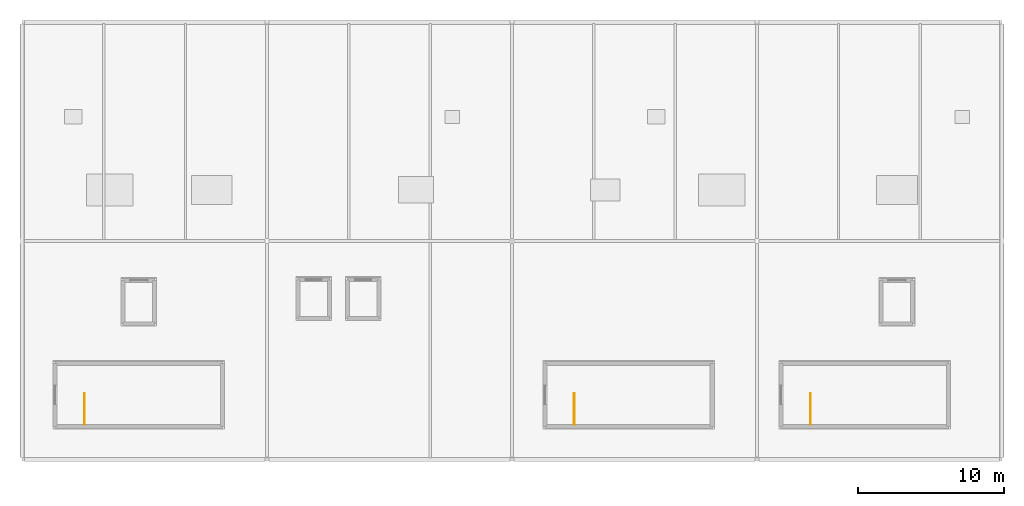
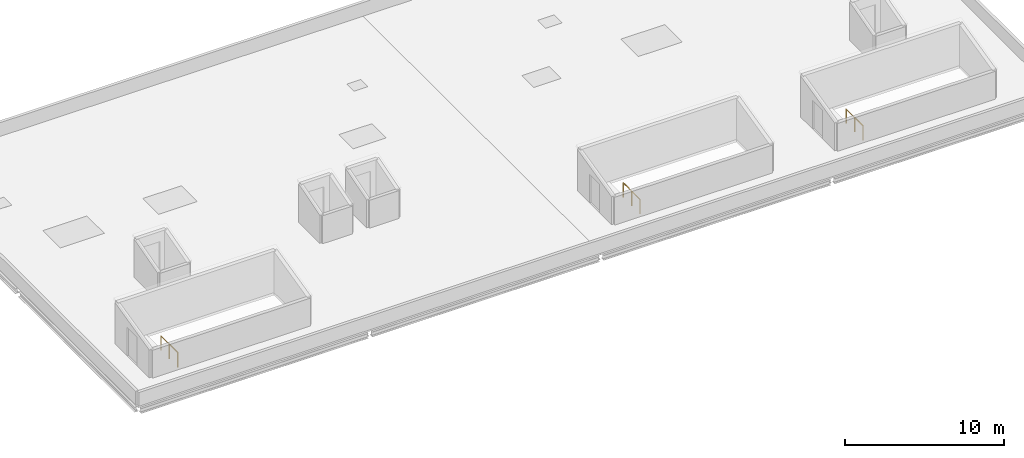
# One storey, part 3 of 3: 3 railings.
"""IFC4 building model written with IfcOpenShell, lengths in metres."""

import ifcopenshell
import ifcopenshell.guid

model = None  # the IFC model being written
_history = None  # IfcOwnerHistory: only IFC2X3 demands one
_inside = {}  # id of a spatial element -> (the spatial element, [elements in it])
_under = {}  # id of a project, library or spatial element -> (it, [spatial elements below it])
_declared = {}  # id of a project -> (the project, [libraries it declares])
_typed = {}  # id of a type object -> (the type object, [elements of that type])
_made_of = {}  # id of a material, layer set ... -> (it, [elements and type objects made of it])


def new_model(schema):
    """Start an empty IFC model of exactly this schema.

    Asked for "IFC4X3", IfcOpenShell would pick the latest addendum, in which some entities
    have other attributes; the version numbers below select the first issue.
    IFC2X3 requires an IfcOwnerHistory on every rooted entity: one is made here for all.
    """
    global model, _history
    if schema == "IFC4X3":
        model = ifcopenshell.file(schema_version=(4, 3, 0, 0))
    else:
        model = ifcopenshell.file(schema=schema)
    _inside.clear()
    _under.clear()
    _declared.clear()
    _typed.clear()
    _made_of.clear()
    _history = None
    if model.schema == "IFC2X3":
        org = make("IfcOrganization", Name="unknown")
        user = make(
            "IfcPersonAndOrganization",
            ThePerson=make("IfcPerson", FamilyName="unknown"),
            TheOrganization=org,
        )
        app = make(
            "IfcApplication",
            ApplicationDeveloper=org,
            Version="unknown",
            ApplicationFullName="unknown",
            ApplicationIdentifier="unknown",
        )
        _history = make(
            "IfcOwnerHistory",
            OwningUser=user,
            OwningApplication=app,
            ChangeAction="ADDED",
            CreationDate=0,
        )
    return model


def make(cls, **values):
    """One entity of the class cls with the attributes given. An attribute that is None is left unset."""
    return model.create_entity(
        cls, **{name: value for name, value in values.items() if value is not None}
    )


def rooted(cls, **values):
    """An entity with a GlobalId (a new one), such as an element, a storey or a relation."""
    return make(cls, GlobalId=ifcopenshell.guid.new(), OwnerHistory=_history, **values)


def si_unit(unit_type, name, prefix=None):
    """IfcSIUnit, for example si_unit("LENGTHUNIT", "METRE", prefix="MILLI")."""
    return make("IfcSIUnit", UnitType=unit_type, Prefix=prefix, Name=name)


def assignment(units):
    """IfcUnitAssignment: the units of a project."""
    return None if units is None else make("IfcUnitAssignment", Units=units)


def point(xyz):
    """IfcCartesianPoint."""
    return None if xyz is None else make("IfcCartesianPoint", Coordinates=xyz)


def direction(xyz):
    """IfcDirection."""
    return None if xyz is None else make("IfcDirection", DirectionRatios=xyz)


def frame(location, z_axis=None, x_axis=None):
    """IfcAxis2Placement3D, a coordinate frame: its origin and axes. An axis left out is left unset."""
    return make(
        "IfcAxis2Placement3D",
        Location=point(location),
        Axis=direction(z_axis),
        RefDirection=direction(x_axis),
    )


def frame_2d(location, x_axis=None):
    """IfcAxis2Placement2D, a coordinate frame in the plane: its origin and x axis."""
    return make(
        "IfcAxis2Placement2D", Location=point(location), RefDirection=direction(x_axis)
    )


def origin():
    """The frame at (0, 0, 0) with its axes left unset."""
    return frame((0.0, 0.0, 0.0))


def origin_2d():
    """The frame at (0, 0) in the plane with its x axis left unset."""
    return frame_2d((0.0, 0.0))


def place(relative_to, where):
    """IfcLocalPlacement: puts the frame where relative to a parent placement (None: the world)."""
    return make(
        "IfcLocalPlacement", PlacementRelTo=relative_to, RelativePlacement=where
    )


def context(
    kind, dimensions, precision=None, world=None, true_north=None, identifier=None
):
    """IfcGeometricRepresentationContext, for example the 3D "Model" context."""
    return make(
        "IfcGeometricRepresentationContext",
        ContextIdentifier=identifier,
        ContextType=kind,
        CoordinateSpaceDimension=dimensions,
        Precision=precision,
        WorldCoordinateSystem=world,
        TrueNorth=true_north,
    )


def subcontext(parent, identifier, kind, view, scale=None):
    """IfcGeometricRepresentationSubContext, for example "Body" below "Model"."""
    return make(
        "IfcGeometricRepresentationSubContext",
        ContextIdentifier=identifier,
        ContextType=kind,
        ParentContext=parent,
        TargetScale=scale,
        TargetView=view,
    )


def project(units=None, contexts=None):
    """IfcProject with its units and contexts."""
    return rooted(
        "IfcProject",
        Name="project",
        RepresentationContexts=contexts,
        UnitsInContext=assignment(units),
    )


def spatial(cls, under=None, at=None, **own):
    """A site, building, storey or space (cls), placed at a placement, below another one or the project."""
    s = rooted(cls, ObjectPlacement=at, **own)
    if under is not None:
        _under.setdefault(under.id(), (under, []))[1].append(s)
    return s


def profile(cls, at=None, kind="AREA", **sizes):
    """A parametric profile (cls). Its sizes go by their IFC names, for example OverallWidth=200.0."""
    return make(cls, ProfileType=kind, Position=at, **sizes)


def circle(**sizes):
    """IfcCircleProfileDef."""
    return profile("IfcCircleProfileDef", **sizes)


def extrude(swept, where, along, depth):
    """IfcExtrudedAreaSolid: the profile swept, set in the frame where, extruded along a direction by depth."""
    return make(
        "IfcExtrudedAreaSolid",
        SweptArea=swept,
        Position=where,
        ExtrudedDirection=direction(along),
        Depth=depth,
    )


def shape(context_of_items, identifier, shape_type, items):
    """IfcShapeRepresentation: the items that make up one representation, for example the "Body"."""
    return make(
        "IfcShapeRepresentation",
        ContextOfItems=context_of_items,
        RepresentationIdentifier=identifier,
        RepresentationType=shape_type,
        Items=items,
    )


def material(Name=None, Category=None):
    """IfcMaterial."""
    return make("IfcMaterial", Name=Name, Category=Category)


def made_of(thing, what):
    """Note that an element or type object is made of a material, layer set ...; save() writes the relation."""
    if what is not None:
        _made_of.setdefault(what.id(), (what, []))[1].append(thing)
    return thing


def type_object(cls, material=None, **own):
    """A type object (cls), such as IfcWallType, which elements share."""
    return made_of(rooted(cls, **own), material)


def element(
    cls,
    number,
    at=None,
    inside=None,
    cuts=None,
    type_object=None,
    material=None,
    context=None,
    identifier="Body",
    shape_type=None,
    held_by="IfcProductDefinitionShape",
    body=None,
    shapes=None,
    **own,
):
    """One element of the class cls, such as IfcWall. Its Tag is "e" and its number.

    at: its placement. inside: the storey or other place that contains it. cuts: it is an
    opening in that element (IfcRelVoidsElement). A single representation is given by context,
    identifier, shape_type and body (its items); several are given by shapes. held_by: the class
    of the entity that holds the representations. save() writes the other relations.
    """
    e = rooted(cls, Tag="e%d" % number, ObjectPlacement=at, **own)
    if body is not None:
        shapes = [shape(context, identifier, shape_type, body)]
    if shapes is not None:
        e.Representation = make(held_by, Representations=shapes)
    if inside is not None:
        _inside.setdefault(inside.id(), (inside, []))[1].append(e)
    if cuts is not None:
        rooted(
            "IfcRelVoidsElement", RelatingBuildingElement=cuts, RelatedOpeningElement=e
        )
    if type_object is not None:
        _typed.setdefault(type_object.id(), (type_object, []))[1].append(e)
    return made_of(e, material)


def aggregate(whole, parts):
    """IfcRelAggregates: a whole, such as a stair, and the parts it consists of."""
    return rooted("IfcRelAggregates", RelatingObject=whole, RelatedObjects=parts)


def save(model, path):
    """Write the relations noted so far, then the file.

    IfcRelAggregates (storeys below a building ...), IfcRelContainedInSpatialStructure (elements
    in a storey), IfcRelDefinesByType, IfcRelAssociatesMaterial and IfcRelDeclares: one each for
    every whole, place, type object, material and project.
    """
    for whole, parts in _under.values():
        aggregate(whole, parts)
    for where, things in _inside.values():
        rooted(
            "IfcRelContainedInSpatialStructure",
            RelatedElements=things,
            RelatingStructure=where,
        )
    for kind, things in _typed.values():
        rooted("IfcRelDefinesByType", RelatedObjects=things, RelatingType=kind)
    for what, things in _made_of.values():
        rooted("IfcRelAssociatesMaterial", RelatedObjects=things, RelatingMaterial=what)
    for by, libraries in _declared.values():
        rooted("IfcRelDeclares", RelatingContext=by, RelatedDefinitions=libraries)
    model.write(path)


model = new_model("IFC4")

# Units and contexts
model_context = context("Model", 3, precision=1e-05, world=origin(), true_north=direction((0.0, 1.0)))
body_context = subcontext(model_context, "Body", "Model", "MODEL_VIEW")
ifc_project = project(units=[si_unit("LENGTHUNIT", "METRE"), si_unit("AREAUNIT", "SQUARE_METRE"), si_unit("VOLUMEUNIT", "CUBIC_METRE"), si_unit("PLANEANGLEUNIT", "RADIAN"), si_unit("MASSUNIT", "GRAM", prefix="KILO")], contexts=[model_context])

# Site, building, storey
site_placement = place(None, origin())
site = spatial("IfcSite", under=ifc_project, at=site_placement, CompositionType="ELEMENT")
building_placement = place(site_placement, origin())
building = spatial("IfcBuilding", under=site, at=building_placement, Name="Kimbaza Rail Terminus", CompositionType="ELEMENT")
storey_placement = place(building_placement, frame((0.0, 0.0, 28.800048828125)))
storey = spatial("IfcBuildingStorey", under=building, at=storey_placement, Name="Roof", CompositionType="ELEMENT", Elevation=28.800048828125)

# Railings
ifc_material = material(Name="Painted tubular steel stair well guard", Category="steel")
railing_type = type_object("IfcRailingType", Name="ARC-RL-STGRD", PredefinedType="GUARDRAIL", material=ifc_material)
for number, where, name in (
    (1, (76.27001953125, 105.39990234375, 0.0), "Roof ST-W1 top well guard 1"),
    (2, (109.8701171875, 105.39990234375, 0.0), "Roof ST-M1 top well guard 1"),
    (3, (126.070068359375, 105.39990234375, 0.0), "Roof ST-E1 top well guard 1"),
):
    element("IfcRailing", number, at=place(storey_placement, frame(where)), inside=storey, type_object=railing_type, Name=name, PredefinedType="GUARDRAIL", context=body_context, shape_type="SweptSolid", body=[
        extrude(circle(Radius=0.02392578125, at=origin_2d()), frame((0.0, 0.0, 1.09619140625), z_axis=(0.0, 1.0, 0.0), x_axis=(-1.0, 0.0, 0.0)), (0.0, 0.0, 1.0), 2.1201171875),
        extrude(circle(Radius=0.02099609375, at=origin_2d()), origin(), (0.0, 0.0, 1.0), 1.072021484375),
        extrude(circle(Radius=0.02099609375, at=origin_2d()), frame((0.0, 1.06005859375, 0.0)), (0.0, 0.0, 1.0), 1.072021484375),
        extrude(circle(Radius=0.02099609375, at=origin_2d()), frame((0.0, 2.1201171875, 0.0)), (0.0, 0.0, 1.0), 1.072021484375),
    ])

save(model, "model.ifc")
